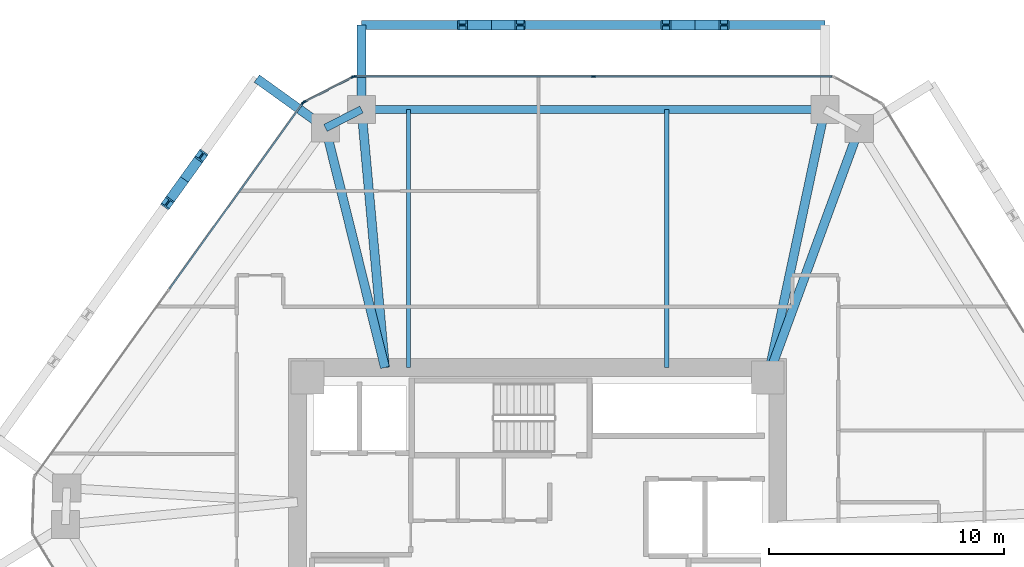
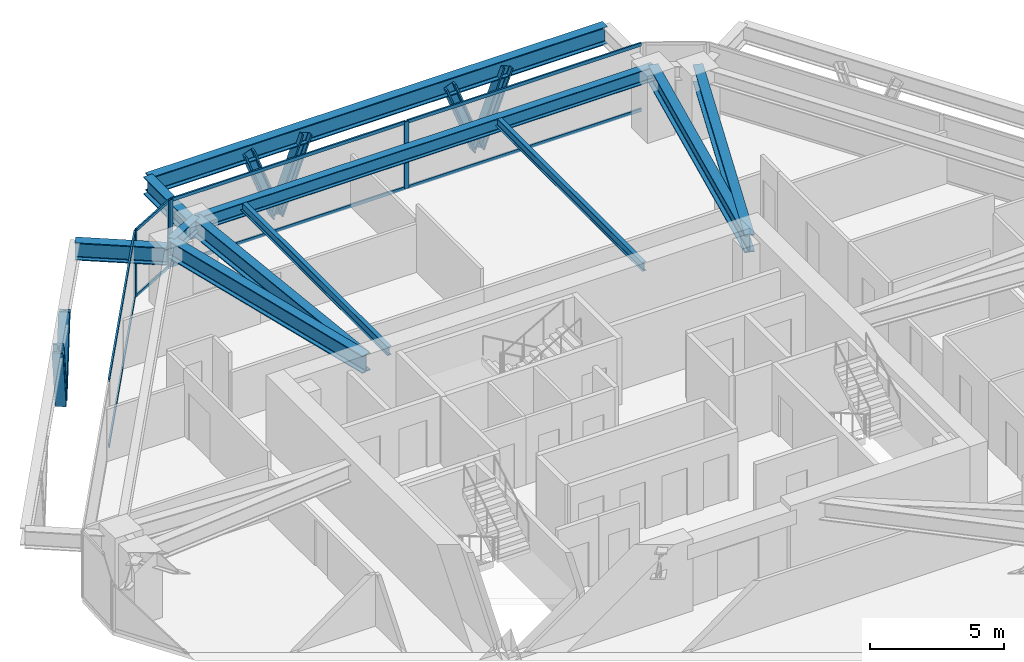
# One storey, part 7 of 13: 19 members, 11 beams, 3 elements without a shape of their own.
"""IFC4 building model written with IfcOpenShell, lengths in metres."""

from ifc_helpers import new_model, si_unit, direction, frame, origin, origin_2d, place, context, subcontext, project, spatial, rectangle, i_section, extrude, source, transform, mapped, material, layer, layer_set, material_profile, profile_set, type_object, type_shapes, element, aggregate, save


model = new_model("IFC4")

# Units and contexts
model_context = context("Model", 3, precision=1e-05, world=origin(), true_north=direction((0.0, 1.0)))
body_context = subcontext(model_context, "Body", "Model", "MODEL_VIEW")
ifc_project = project(units=[si_unit("LENGTHUNIT", "METRE"), si_unit("AREAUNIT", "SQUARE_METRE"), si_unit("VOLUMEUNIT", "CUBIC_METRE"), si_unit("PLANEANGLEUNIT", "RADIAN"), si_unit("MASSUNIT", "GRAM", prefix="KILO")], contexts=[model_context])

# Site, building, storey
site_placement = place(None, origin())
site = spatial("IfcSite", under=ifc_project, at=site_placement, CompositionType="ELEMENT")
building_placement = place(site_placement, origin())
building = spatial("IfcBuilding", under=site, at=building_placement, Name="Durnholm Broadcast Tower", CompositionType="ELEMENT")
storey_placement = place(building_placement, frame((0.0, 0.0, 133.800048828125)))
storey = spatial("IfcBuildingStorey", under=building, at=storey_placement, Name="L36", CompositionType="ELEMENT", Elevation=133.800048828125)

# Beams
ifc_material_1 = material(Name="Steel ASTM A992 Grade 50", Category="steel")
ifc_material_profile_1 = material_profile(ifc_material_1, i_section(OverallWidth=0.385009765625, OverallDepth=0.802978515625, WebThickness=0.023681640625, FlangeThickness=0.0419921875, FilletRadius=0.032958984375, at=origin_2d()), Name="W30X261")
ifc_profile_set_1 = profile_set([ifc_material_profile_1], Name="Steel ASTM A992 Grade 50")
beam_type_1 = type_object("IfcBeamType", Name="BM-EXO-TIE", PredefinedType="USERDEFINED", material=ifc_profile_set_1)
shared_shape_1 = source(origin(), body_context, "Body", "SweptSolid", [
    extrude(i_section(OverallWidth=0.385009765625, OverallDepth=0.802978515625, WebThickness=0.023681640625, FlangeThickness=0.0419921875, FilletRadius=0.032958984375, at=origin_2d()), origin(), (0.0, 0.0, 1.0), 3.4560546875),
])
beam_1_placement = place(storey_placement, frame((-7.498046875, 19.35888671875, 2.30859375), z_axis=(0.0, 1.0, 0.0), x_axis=(-1.0, 0.0, 0.0)))
element("IfcBeam", 1, at=beam_1_placement, inside=storey, type_object=beam_type_1, Name="L36 exoskeleton stand-off tie bracket F4.2", ObjectType="GIRDER", PredefinedType="USERDEFINED", context=body_context, shape_type="MappedRepresentation", body=[
    mapped(shared_shape_1, transform((0.0, 0.0, 0.0), x_axis=(1.0, 0.0, 0.0), y_axis=(0.0, 1.0, 0.0), z_axis=(0.0, 0.0, 1.0), scale=1.0)),
])
ifc_material_profile_2 = material_profile(ifc_material_1, i_section(OverallWidth=0.3291015625, OverallDepth=0.635009765625, WebThickness=0.017822265625, FlangeThickness=0.031005859375, FilletRadius=0.02783203125, at=origin_2d()), Name="W24X162")
ifc_profile_set_2 = profile_set([ifc_material_profile_2], Name="Steel ASTM A992 Grade 50")
beam_type_2 = type_object("IfcBeamType", Name="STL-SP-W24X162", PredefinedType="SPANDREL", material=ifc_profile_set_2)
shared_shape_2 = source(origin(), body_context, "Body", "SweptSolid", [
    extrude(i_section(OverallWidth=0.3291015625, OverallDepth=0.635009765625, WebThickness=0.017822265625, FlangeThickness=0.031005859375, FilletRadius=0.02783203125, at=origin_2d()), origin(), (0.0, 0.0, 1.0), 1.723876953125),
])
beam_2_placement = place(storey_placement, frame((-9.031982421875, 18.42822265625, 2.7275390625), z_axis=(0.889762904339, 0.456423020959, 0.0), x_axis=(-0.456423020959, 0.889762904339, 0.0)))
element("IfcBeam", 2, at=beam_2_placement, inside=storey, type_object=beam_type_2, Name="L36 perimeter spandrel girder 04", PredefinedType="SPANDREL", context=body_context, shape_type="MappedRepresentation", body=[
    mapped(shared_shape_2, transform((0.0, 0.0, 0.0), x_axis=(1.0, 0.0, 0.0), y_axis=(0.0, 1.0, 0.0), z_axis=(0.0, 0.0, 1.0), scale=1.0)),
])
shared_shape_3 = source(origin(), body_context, "Body", "SweptSolid", [
    extrude(i_section(OverallWidth=0.3291015625, OverallDepth=0.635009765625, WebThickness=0.017822265625, FlangeThickness=0.031005859375, FilletRadius=0.02783203125, at=origin_2d()), origin(), (0.0, 0.0, 1.0), 19.72802734375),
])
type_shapes(beam_type_2, [shared_shape_2, shared_shape_3])
beam_3_placement = place(storey_placement, frame((-7.498046875, 19.215087890625, 2.7275390625), z_axis=(1.0, 0.0, 0.0), x_axis=(0.0, 1.0, 0.0)))
element("IfcBeam", 3, at=beam_3_placement, inside=storey, type_object=beam_type_2, Name="L36 perimeter spandrel girder 05", PredefinedType="SPANDREL", context=body_context, shape_type="MappedRepresentation", body=[
    mapped(shared_shape_3, transform((0.0, 0.0, 0.0), x_axis=(1.0, 0.0, 0.0), y_axis=(0.0, 1.0, 0.0), z_axis=(0.0, 0.0, 1.0), scale=1.0)),
])
ifc_material_profile_3 = material_profile(ifc_material_1, i_section(OverallWidth=0.385009765625, OverallDepth=0.802978515625, WebThickness=0.023681640625, FlangeThickness=0.0419921875, FilletRadius=0.032958984375, at=origin_2d()), Name="W30X261")
ifc_profile_set_3 = profile_set([ifc_material_profile_3], Name="Steel ASTM A992 Grade 50")
beam_type_3 = type_object("IfcBeamType", Name="STL-GR-W30X261", PredefinedType="USERDEFINED", material=ifc_profile_set_3)
shared_shape_4 = source(origin(), body_context, "Body", "SweptSolid", [
    extrude(i_section(OverallWidth=0.385009765625, OverallDepth=0.802978515625, WebThickness=0.023681640625, FlangeThickness=0.0419921875, FilletRadius=0.032958984375, at=origin_2d()), origin(), (0.0, 0.0, 1.0), 10.5126953125),
])
beam_4_placement = place(storey_placement, frame((-6.5, 8.22509765625, 2.6435546875), z_axis=(-0.240852230194, 0.970561797729, 0.0), x_axis=(-0.970561797729, -0.240852230194, 0.0)))
element("IfcBeam", 4, at=beam_4_placement, inside=storey, type_object=beam_type_3, Name="L36 radial primary floor girder 04", ObjectType="GIRDER", PredefinedType="USERDEFINED", context=body_context, shape_type="MappedRepresentation", body=[
    mapped(shared_shape_4, transform((0.0, 0.0, 0.0), x_axis=(1.0, 0.0, 0.0), y_axis=(0.0, 1.0, 0.0), z_axis=(0.0, 0.0, 1.0), scale=1.0)),
])
shared_shape_5 = source(origin(), body_context, "Body", "SweptSolid", [
    extrude(i_section(OverallWidth=0.385009765625, OverallDepth=0.802978515625, WebThickness=0.023681640625, FlangeThickness=0.0419921875, FilletRadius=0.032958984375, at=origin_2d()), origin(), (0.0, 0.0, 1.0), 11.03515625),
])
beam_5_placement = place(storey_placement, frame((-6.5, 8.22509765625, 2.6435546875), z_axis=(-0.090441991612, 0.995901725148, 0.0), x_axis=(-0.995901725148, -0.090441991612, 0.0)))
element("IfcBeam", 5, at=beam_5_placement, inside=storey, type_object=beam_type_3, Name="L36 radial primary floor girder 05", ObjectType="GIRDER", PredefinedType="USERDEFINED", context=body_context, shape_type="MappedRepresentation", body=[
    mapped(shared_shape_5, transform((0.0, 0.0, 0.0), x_axis=(1.0, 0.0, 0.0), y_axis=(0.0, 1.0, 0.0), z_axis=(0.0, 0.0, 1.0), scale=1.0)),
])
shared_shape_6 = source(origin(), body_context, "Body", "SweptSolid", [
    extrude(i_section(OverallWidth=0.385009765625, OverallDepth=0.802978515625, WebThickness=0.023681640625, FlangeThickness=0.0419921875, FilletRadius=0.032958984375, at=origin_2d()), origin(), (0.0, 0.0, 1.0), 11.6708984375),
])
beam_6_placement = place(storey_placement, frame((9.800048828125, 7.800048828125, 2.6435546875), z_axis=(0.208206004915, 0.97808499606, 0.0), x_axis=(-0.97808499606, 0.208206004915, 0.0)))
element("IfcBeam", 6, at=beam_6_placement, inside=storey, type_object=beam_type_3, Name="L36 radial primary floor girder 06", ObjectType="GIRDER", PredefinedType="USERDEFINED", context=body_context, shape_type="MappedRepresentation", body=[
    mapped(shared_shape_6, transform((0.0, 0.0, 0.0), x_axis=(1.0, 0.0, 0.0), y_axis=(0.0, 1.0, 0.0), z_axis=(0.0, 0.0, 1.0), scale=1.0)),
])
shared_shape_7 = source(origin(), body_context, "Body", "SweptSolid", [
    extrude(i_section(OverallWidth=0.385009765625, OverallDepth=0.802978515625, WebThickness=0.023681640625, FlangeThickness=0.0419921875, FilletRadius=0.032958984375, at=origin_2d()), origin(), (0.0, 0.0, 1.0), 11.293212890625),
])
type_shapes(beam_type_3, [shared_shape_4, shared_shape_5, shared_shape_6, shared_shape_7])
beam_7_placement = place(storey_placement, frame((9.800048828125, 7.800048828125, 2.6435546875), z_axis=(0.344640193759, 0.938734859716, 0.0), x_axis=(-0.938734859716, 0.344640193759, 0.0)))
element("IfcBeam", 7, at=beam_7_placement, inside=storey, type_object=beam_type_3, Name="L36 radial primary floor girder 07", ObjectType="GIRDER", PredefinedType="USERDEFINED", context=body_context, shape_type="MappedRepresentation", body=[
    mapped(shared_shape_7, transform((0.0, 0.0, 0.0), x_axis=(1.0, 0.0, 0.0), y_axis=(0.0, 1.0, 0.0), z_axis=(0.0, 0.0, 1.0), scale=1.0)),
])
ifc_material_profile_4 = material_profile(ifc_material_1, i_section(OverallWidth=0.177734375, OverallDepth=0.40673828125, WebThickness=0.0078125, FlangeThickness=0.0126953125, FilletRadius=0.01904296875, at=origin_2d()), Name="W16X40")
ifc_profile_set_4 = profile_set([ifc_material_profile_4], Name="Steel ASTM A992 Grade 50")
beam_type_4 = type_object("IfcBeamType", Name="STL-BJ-W16X40", PredefinedType="JOIST", material=ifc_profile_set_4)
shared_shape_8 = source(origin(), body_context, "Body", "SweptSolid", [
    extrude(i_section(OverallWidth=0.177734375, OverallDepth=0.40673828125, WebThickness=0.0078125, FlangeThickness=0.0126953125, FilletRadius=0.01904296875, at=origin_2d()), origin(), (0.0, 0.0, 1.0), 10.989990234375),
])
type_shapes(beam_type_4, [shared_shape_8])
for number, where, z_axis, x_axis, name in (
    (8, (-5.5, 8.22509765625, 2.841552734375), (0.0, 1.0, 0.0), (-1.0, 0.0, 0.0), "L36 secondary floor joist 3.2"),
    (9, (5.5, 8.22509765625, 2.841552734375), (0.0, 1.0, 0.0), (-1.0, 0.0, 0.0), "L36 secondary floor joist 4.2"),
):
    element("IfcBeam", number, at=place(storey_placement, frame(where, z_axis=z_axis, x_axis=x_axis)), inside=storey, type_object=beam_type_4, Name=name, PredefinedType="JOIST", context=body_context, shape_type="MappedRepresentation", body=[
        mapped(shared_shape_8, transform((0.0, 0.0, 0.0), x_axis=(1.0, 0.0, 0.0), y_axis=(0.0, 1.0, 0.0), z_axis=(0.0, 0.0, 1.0), scale=1.0)),
    ])
shared_shape_9 = source(origin(), body_context, "Body", "SweptSolid", [
    extrude(i_section(OverallWidth=0.385009765625, OverallDepth=0.802978515625, WebThickness=0.023681640625, FlangeThickness=0.0419921875, FilletRadius=0.032958984375, at=origin_2d()), origin(), (0.0, 0.0, 1.0), 19.72802734375),
])
beam_8_placement = place(storey_placement, frame((12.22998046875, 22.81494140625, 2.30859375), z_axis=(-1.0, 0.0, 0.0), x_axis=(0.0, -1.0, 0.0)))
element("IfcBeam", 10, at=beam_8_placement, inside=storey, type_object=beam_type_1, Name="L36 exoskeleton collector spandrel F4", PredefinedType="SPANDREL", context=body_context, shape_type="MappedRepresentation", body=[
    mapped(shared_shape_9, transform((0.0, 0.0, 0.0), x_axis=(1.0, 0.0, 0.0), y_axis=(0.0, 1.0, 0.0), z_axis=(0.0, 0.0, 1.0), scale=1.0)),
])
shared_shape_10 = source(origin(), body_context, "Body", "SweptSolid", [
    extrude(i_section(OverallWidth=0.385009765625, OverallDepth=0.802978515625, WebThickness=0.023681640625, FlangeThickness=0.0419921875, FilletRadius=0.032958984375, at=origin_2d()), origin(), (0.0, 0.0, 1.0), 3.456298828125),
])
type_shapes(beam_type_1, [shared_shape_1, shared_shape_9, shared_shape_10])
beam_9_placement = place(storey_placement, frame((-9.14892578125, 18.51220703125, 2.30859375), z_axis=(-0.812131479052, 0.583474473077, 0.0), x_axis=(-0.583474473077, -0.812131479052, 0.0)))
element("IfcBeam", 11, at=beam_9_placement, inside=storey, type_object=beam_type_1, Name="L36 exoskeleton stand-off tie bracket F5.1", ObjectType="GIRDER", PredefinedType="USERDEFINED", context=body_context, shape_type="MappedRepresentation", body=[
    mapped(shared_shape_10, transform((0.0, 0.0, 0.0), x_axis=(1.0, 0.0, 0.0), y_axis=(0.0, 1.0, 0.0), z_axis=(0.0, 0.0, 1.0), scale=1.0)),
])

# Members
ifc_material_2 = material(Name="Steel ASTM A913 Grade 65", Category="steel")
ifc_material_profile_5 = material_profile(ifc_material_2, i_section(OverallWidth=0.41845703125, OverallDepth=0.455078125, WebThickness=0.0419921875, FlangeThickness=0.067626953125, FilletRadius=0.030517578125, at=origin_2d()), Name="W14X370")
ifc_profile_set_5 = profile_set([ifc_material_profile_5], Name="Steel ASTM A913 Grade 65")
member_type_1 = type_object("IfcMemberType", Name="STL-DG-W14X370", PredefinedType="BRACE", material=ifc_profile_set_5)
shared_shape_11 = source(origin(), body_context, "Body", "SweptSolid", [
    extrude(i_section(OverallWidth=0.41845703125, OverallDepth=0.455078125, WebThickness=0.0419921875, FlangeThickness=0.067626953125, FilletRadius=0.030517578125, at=origin_2d()), origin(), (0.0, 0.0, 1.0), 3.523193359375),
])
type_shapes(member_type_1, [shared_shape_11])
for number, where, z_axis, x_axis, name in (
    (12, (6.7060546875, 22.81494140625, -0.991455078125), (0.350219588454, 0.0, 0.936667625075), (0.0, 1.0, 0.0), "L36 stand-off diagrid brace F4.D1.1"),
    (13, (6.7060546875, 22.81494140625, -0.991455078125), (-0.350158790071, 0.0, 0.936690355313), (0.0, -1.0, 0.0), "L36 stand-off diagrid brace F4.D1.2"),
    (14, (-1.974365234375, 22.81494140625, -0.991455078125), (0.350219588454, 0.0, 0.936667625075), (0.0, 1.0, 0.0), "L36 stand-off diagrid brace F4.D2.1"),
    (15, (-1.974365234375, 22.81494140625, -0.991455078125), (-0.350158790071, 0.0, 0.936690355313), (0.0, -1.0, 0.0), "L36 stand-off diagrid brace F4.D2.2"),
    (16, (-15.040771484375, 16.234375, -0.991455078125), (0.204287819296, 0.284395254542, 0.936688756248), (-0.812179469647, 0.583407669717, 0.0), "L36 stand-off diagrid brace F5.D1.1"),
    (17, (-15.040771484375, 16.234375, -0.991455078125), (-0.204354222964, -0.284391227889, 0.936675493998), (0.812085698931, -0.583538188632, 0.0), "L36 stand-off diagrid brace F5.D1.2"),
):
    element("IfcMember", number, at=place(storey_placement, frame(where, z_axis=z_axis, x_axis=x_axis)), inside=storey, type_object=member_type_1, Name=name, PredefinedType="BRACE", context=body_context, shape_type="MappedRepresentation", body=[
        mapped(shared_shape_11, transform((0.0, 0.0, 0.0), x_axis=(1.0, 0.0, 0.0), y_axis=(0.0, 1.0, 0.0), z_axis=(0.0, 0.0, 1.0), scale=1.0)),
    ])

# Curtain wall, members
ifc_material_3 = material(Name="Aluminium and Solar Control IGU", Category="aluminium")
ifc_layer_1 = layer(ifc_material_3, 0.1650390625)
ifc_layer_set_1 = layer_set([ifc_layer_1], Name="Aluminium and Solar Control IGU")
curtain_wall_type_1 = type_object("IfcCurtainWallType", Name="CW-SYS-5", PredefinedType="NOTDEFINED", material=ifc_layer_set_1)
curtain_wall_1_placement = place(storey_placement, origin())
curtain_wall_1 = element("IfcCurtainWall", 18, at=curtain_wall_1_placement, inside=storey, type_object=curtain_wall_type_1, Name="L36 curtain wall CW-CORNER CW-L36-CRN-03", PredefinedType="NOTDEFINED")
ifc_material_4 = material(Name="Aluminium 6063-T6", Category="aluminium")
ifc_material_profile_6 = material_profile(ifc_material_4, rectangle(XDim=0.06494140625, YDim=0.1650390625, at=origin_2d()), Name="CWM65X165")
ifc_profile_set_6 = profile_set([ifc_material_profile_6], Name="Aluminium 6063-T6")
member_type_2 = type_object("IfcMemberType", Name="CW-SYS-5-MUL", PredefinedType="MULLION", material=ifc_profile_set_6)
shared_shape_12 = source(origin(), body_context, "Body", "SweptSolid", [
    extrude(rectangle(XDim=0.06494140625, YDim=0.1650390625, at=origin_2d()), origin(), (0.0, 0.0, 1.0), 3.06005859375),
])
type_shapes(member_type_2, [shared_shape_12])
member_1_placement = place(storey_placement, frame((-9.94287109375, 19.534423828125, 0.0), z_axis=(0.0, 0.0, 1.0), x_axis=(-0.45637332267, 0.889788396392, 0.0)))
member_1 = element("IfcMember", 19, at=member_1_placement, type_object=member_type_2, Name="CW-CORNER mullion 1", PredefinedType="MULLION", context=body_context, shape_type="MappedRepresentation", body=[
    mapped(shared_shape_12, transform((0.0, 0.0, 0.0), x_axis=(1.0, 0.0, 0.0), y_axis=(0.0, 1.0, 0.0), z_axis=(0.0, 0.0, 1.0), scale=1.0)),
])
member_2_placement = place(storey_placement, frame((-7.865234375, 20.60009765625, 0.0), z_axis=(0.0, 0.0, 1.0), x_axis=(-0.45637332267, 0.889788396392, 0.0)))
member_2 = element("IfcMember", 20, at=member_2_placement, type_object=member_type_2, Name="CW-CORNER mullion 2", PredefinedType="MULLION", context=body_context, shape_type="MappedRepresentation", body=[
    mapped(shared_shape_12, transform((0.0, 0.0, 0.0), x_axis=(1.0, 0.0, 0.0), y_axis=(0.0, 1.0, 0.0), z_axis=(0.0, 0.0, 1.0), scale=1.0)),
])

# Curtain wall, member
ifc_layer_2 = layer(ifc_material_3, 0.18994140625)
ifc_layer_set_2 = layer_set([ifc_layer_2], Name="Aluminium and Solar Control IGU")
curtain_wall_type_2 = type_object("IfcCurtainWallType", Name="CW-SYS-3", PredefinedType="NOTDEFINED", material=ifc_layer_set_2)
curtain_wall_2_placement = place(storey_placement, origin())
curtain_wall_2 = element("IfcCurtainWall", 21, at=curtain_wall_2_placement, inside=storey, type_object=curtain_wall_type_2, Name="L36 curtain wall CW-Z12-VIS CW-L36-F02", PredefinedType="NOTDEFINED")
ifc_material_profile_7 = material_profile(ifc_material_4, rectangle(XDim=0.070068359375, YDim=0.18994140625, at=origin_2d()), Name="CWM70X190")
ifc_profile_set_7 = profile_set([ifc_material_profile_7], Name="Aluminium 6063-T6")
member_type_3 = type_object("IfcMemberType", Name="CW-SYS-3-MUL", PredefinedType="MULLION", material=ifc_profile_set_7)
shared_shape_13 = source(origin(), body_context, "Body", "SweptSolid", [
    extrude(rectangle(XDim=0.070068359375, YDim=0.18994140625, at=origin_2d()), origin(), (0.0, 0.0, 1.0), 3.06005859375),
])
type_shapes(member_type_3, [shared_shape_13])
member_3_placement = place(storey_placement, frame((-9.9921875, 19.4912109375, 0.0), z_axis=(0.0, 0.0, 1.0), x_axis=(-0.812152312759, 0.583445473786, 0.0)))
member_3 = element("IfcMember", 22, at=member_3_placement, type_object=member_type_3, Name="CW-Z12-VIS mullion 3", PredefinedType="MULLION", context=body_context, shape_type="MappedRepresentation", body=[
    mapped(shared_shape_13, transform((0.0, 0.0, 0.0), x_axis=(1.0, 0.0, 0.0), y_axis=(0.0, 1.0, 0.0), z_axis=(0.0, 0.0, 1.0), scale=1.0)),
])

# Curtain wall, members
curtain_wall_3_placement = place(storey_placement, origin())
curtain_wall_3 = element("IfcCurtainWall", 23, at=curtain_wall_3_placement, inside=storey, type_object=curtain_wall_type_2, Name="L36 curtain wall CW-Z12-VIS CW-L36-F04", PredefinedType="NOTDEFINED")
member_4_placement = place(storey_placement, frame((-7.80126953125, 20.614990234375, 0.0), z_axis=(0.0, 0.0, 1.0), x_axis=(0.0, 1.0, 0.0)))
member_4 = element("IfcMember", 24, at=member_4_placement, type_object=member_type_3, Name="CW-Z12-VIS mullion 1", PredefinedType="MULLION", context=body_context, shape_type="MappedRepresentation", body=[
    mapped(shared_shape_13, transform((0.0, 0.0, 0.0), x_axis=(1.0, 0.0, 0.0), y_axis=(0.0, 1.0, 0.0), z_axis=(0.0, 0.0, 1.0), scale=1.0)),
])
member_5_placement = place(storey_placement, frame((2.37841796875, 20.614990234375, 0.0), z_axis=(0.0, 0.0, 1.0), x_axis=(0.0, 1.0, 0.0)))
member_5 = element("IfcMember", 25, at=member_5_placement, type_object=member_type_3, Name="CW-Z12-VIS mullion 2", PredefinedType="MULLION", context=body_context, shape_type="MappedRepresentation", body=[
    mapped(shared_shape_13, transform((0.0, 0.0, 0.0), x_axis=(1.0, 0.0, 0.0), y_axis=(0.0, 1.0, 0.0), z_axis=(0.0, 0.0, 1.0), scale=1.0)),
])

# Member
ifc_material_profile_8 = material_profile(ifc_material_4, rectangle(XDim=0.06494140625, YDim=0.1298828125, at=origin_2d()), Name="CWT65X130")
ifc_profile_set_8 = profile_set([ifc_material_profile_8], Name="Aluminium 6063-T6")
member_type_4 = type_object("IfcMemberType", Name="CW-SYS-5-TRN", PredefinedType="USERDEFINED", material=ifc_profile_set_8)
shared_shape_14 = source(origin(), body_context, "Body", "SweptSolid", [
    extrude(rectangle(XDim=0.06494140625, YDim=0.1298828125, at=origin_2d()), origin(), (0.0, 0.0, 1.0), 2.27001953125),
])
type_shapes(member_type_4, [shared_shape_14])
member_6_placement = place(storey_placement, frame((-9.913818359375, 19.54931640625, 0.032470703125), z_axis=(0.889754750021, 0.456438916849, 0.0), x_axis=(-0.456438916849, 0.889754750021, 0.0)))
member_6 = element("IfcMember", 26, at=member_6_placement, type_object=member_type_4, Name="CW-CORNER transom 1.1", ObjectType="TRANSOM", PredefinedType="USERDEFINED", context=body_context, shape_type="MappedRepresentation", body=[
    mapped(shared_shape_14, transform((0.0, 0.0, 0.0), x_axis=(1.0, 0.0, 0.0), y_axis=(0.0, 1.0, 0.0), z_axis=(0.0, 0.0, 1.0), scale=1.0)),
])

member_7_placement = place(storey_placement, frame((-9.913818359375, 19.54931640625, 3.02734375), z_axis=(0.889754750021, 0.456438916849, 0.0), x_axis=(-0.456438916849, 0.889754750021, 0.0)))
member_7 = element("IfcMember", 27, at=member_7_placement, type_object=member_type_4, Name="CW-CORNER transom 1.2", ObjectType="TRANSOM", PredefinedType="USERDEFINED", context=body_context, shape_type="MappedRepresentation", body=[
    mapped(shared_shape_14, transform((0.0, 0.0, 0.0), x_axis=(1.0, 0.0, 0.0), y_axis=(0.0, 1.0, 0.0), z_axis=(0.0, 0.0, 1.0), scale=1.0)),
])

aggregate(curtain_wall_1, [member_1, member_2, member_6, member_7])

ifc_material_profile_9 = material_profile(ifc_material_4, rectangle(XDim=0.070068359375, YDim=0.14990234375, at=origin_2d()), Name="CWT70X150")
ifc_profile_set_9 = profile_set([ifc_material_profile_9], Name="Aluminium 6063-T6")
member_type_5 = type_object("IfcMemberType", Name="CW-SYS-3-TRN", PredefinedType="USERDEFINED", material=ifc_profile_set_9)
shared_shape_15 = source(origin(), body_context, "Body", "SweptSolid", [
    extrude(rectangle(XDim=0.070068359375, YDim=0.14990234375, at=origin_2d()), origin(), (0.0, 0.0, 1.0), 9.71875),
])
member_8_placement = place(storey_placement, frame((-15.682861328125, 11.56982421875, 0.034912109375), z_axis=(0.583450726174, 0.812148539448, 0.0), x_axis=(-0.812148539448, 0.583450726174, 0.0)))
member_8 = element("IfcMember", 28, at=member_8_placement, type_object=member_type_5, Name="CW-Z12-VIS transom 2.1", ObjectType="TRANSOM", PredefinedType="USERDEFINED", context=body_context, shape_type="MappedRepresentation", body=[
    mapped(shared_shape_15, transform((0.0, 0.0, 0.0), x_axis=(1.0, 0.0, 0.0), y_axis=(0.0, 1.0, 0.0), z_axis=(0.0, 0.0, 1.0), scale=1.0)),
])

member_9_placement = place(storey_placement, frame((-15.682861328125, 11.56982421875, 3.02490234375), z_axis=(0.583450726174, 0.812148539448, 0.0), x_axis=(-0.812148539448, 0.583450726174, 0.0)))
member_9 = element("IfcMember", 29, at=member_9_placement, type_object=member_type_5, Name="CW-Z12-VIS transom 2.2", ObjectType="TRANSOM", PredefinedType="USERDEFINED", context=body_context, shape_type="MappedRepresentation", body=[
    mapped(shared_shape_15, transform((0.0, 0.0, 0.0), x_axis=(1.0, 0.0, 0.0), y_axis=(0.0, 1.0, 0.0), z_axis=(0.0, 0.0, 1.0), scale=1.0)),
])

aggregate(curtain_wall_2, [member_3, member_8, member_9])

shared_shape_16 = source(origin(), body_context, "Body", "SweptSolid", [
    extrude(rectangle(XDim=0.070068359375, YDim=0.14990234375, at=origin_2d()), origin(), (0.0, 0.0, 1.0), 10.109619140625),
])
type_shapes(member_type_5, [shared_shape_15, shared_shape_16])
member_10_placement = place(storey_placement, frame((-7.76611328125, 20.614990234375, 0.034912109375), z_axis=(1.0, 0.0, 0.0), x_axis=(0.0, 1.0, 0.0)))
member_10 = element("IfcMember", 30, at=member_10_placement, type_object=member_type_5, Name="CW-Z12-VIS transom 1.1", ObjectType="TRANSOM", PredefinedType="USERDEFINED", context=body_context, shape_type="MappedRepresentation", body=[
    mapped(shared_shape_16, transform((0.0, 0.0, 0.0), x_axis=(1.0, 0.0, 0.0), y_axis=(0.0, 1.0, 0.0), z_axis=(0.0, 0.0, 1.0), scale=1.0)),
])

member_11_placement = place(storey_placement, frame((-7.76611328125, 20.614990234375, 3.02490234375), z_axis=(1.0, 0.0, 0.0), x_axis=(0.0, 1.0, 0.0)))
member_11 = element("IfcMember", 31, at=member_11_placement, type_object=member_type_5, Name="CW-Z12-VIS transom 1.2", ObjectType="TRANSOM", PredefinedType="USERDEFINED", context=body_context, shape_type="MappedRepresentation", body=[
    mapped(shared_shape_16, transform((0.0, 0.0, 0.0), x_axis=(1.0, 0.0, 0.0), y_axis=(0.0, 1.0, 0.0), z_axis=(0.0, 0.0, 1.0), scale=1.0)),
])

member_12_placement = place(storey_placement, frame((2.41357421875, 20.614990234375, 0.034912109375), z_axis=(1.0, 0.0, 0.0), x_axis=(0.0, 1.0, 0.0)))
member_12 = element("IfcMember", 32, at=member_12_placement, type_object=member_type_5, Name="CW-Z12-VIS transom 2.1", ObjectType="TRANSOM", PredefinedType="USERDEFINED", context=body_context, shape_type="MappedRepresentation", body=[
    mapped(shared_shape_16, transform((0.0, 0.0, 0.0), x_axis=(1.0, 0.0, 0.0), y_axis=(0.0, 1.0, 0.0), z_axis=(0.0, 0.0, 1.0), scale=1.0)),
])

member_13_placement = place(storey_placement, frame((2.41357421875, 20.614990234375, 3.02490234375), z_axis=(1.0, 0.0, 0.0), x_axis=(0.0, 1.0, 0.0)))
member_13 = element("IfcMember", 33, at=member_13_placement, type_object=member_type_5, Name="CW-Z12-VIS transom 2.2", ObjectType="TRANSOM", PredefinedType="USERDEFINED", context=body_context, shape_type="MappedRepresentation", body=[
    mapped(shared_shape_16, transform((0.0, 0.0, 0.0), x_axis=(1.0, 0.0, 0.0), y_axis=(0.0, 1.0, 0.0), z_axis=(0.0, 0.0, 1.0), scale=1.0)),
])

aggregate(curtain_wall_3, [member_4, member_5, member_10, member_11, member_12, member_13])

save(model, "model.ifc")
